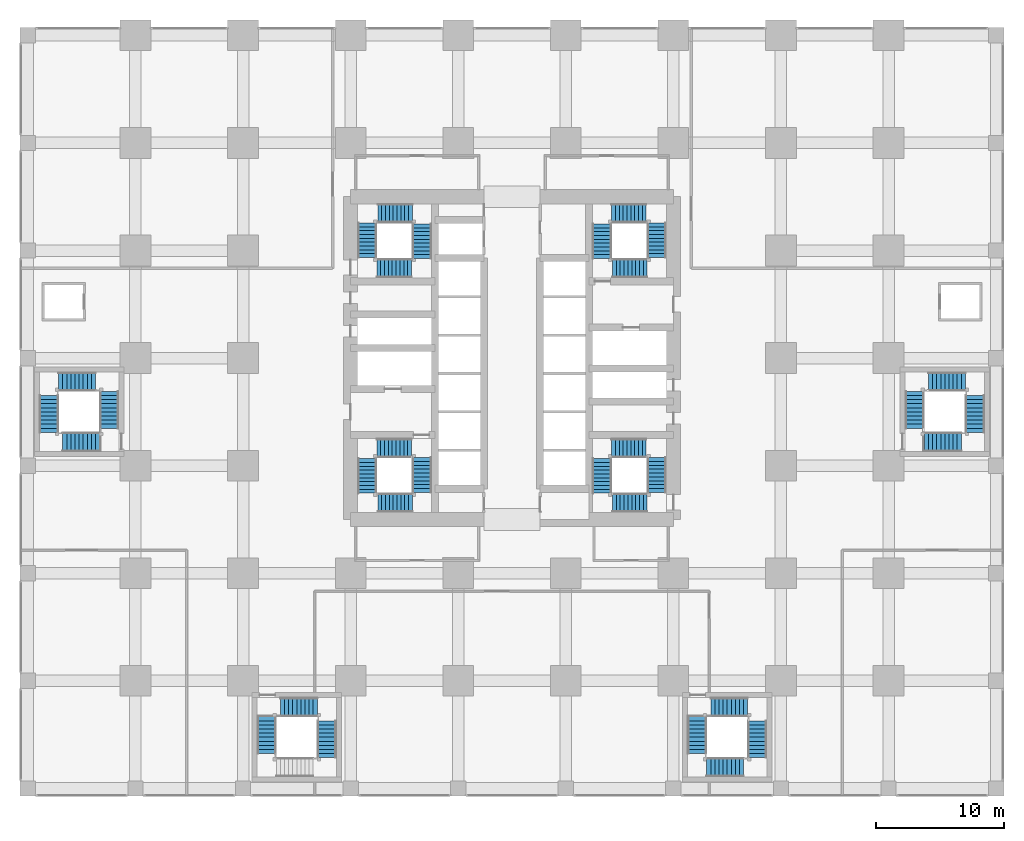
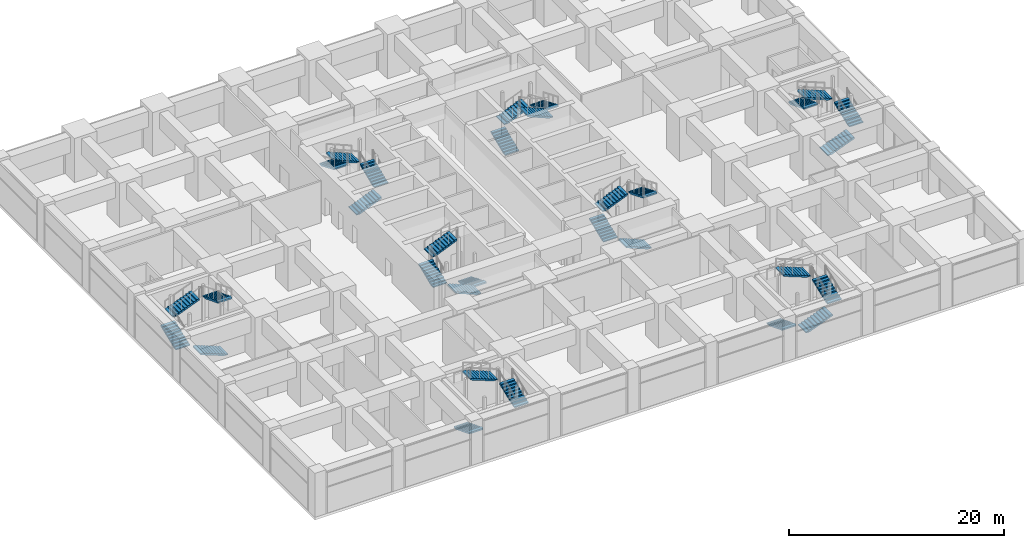
# One storey, part 39 of 48: 31 stair flights, 8 elements without a shape of their own.
"""IFC4 building model written with IfcOpenShell, lengths in metres."""

from ifc_helpers import new_model, si_unit, direction, frame, origin, place, context, subcontext, project, spatial, polyline, outline, extrude, material, type_object, element, aggregate, save


model = new_model("IFC4")

# Units and contexts
model_context = context("Model", 3, precision=1e-05, world=origin(), true_north=direction((0.0, 1.0)))
body_context = subcontext(model_context, "Body", "Model", "MODEL_VIEW")
ifc_project = project(units=[si_unit("LENGTHUNIT", "METRE"), si_unit("AREAUNIT", "SQUARE_METRE"), si_unit("VOLUMEUNIT", "CUBIC_METRE"), si_unit("PLANEANGLEUNIT", "RADIAN"), si_unit("MASSUNIT", "GRAM", prefix="KILO")], contexts=[model_context])

# Site, building, storey
site_placement = place(None, origin())
site = spatial("IfcSite", under=ifc_project, at=site_placement, CompositionType="ELEMENT")
building_placement = place(site_placement, origin())
building = spatial("IfcBuilding", under=site, at=building_placement, Name="Rekha Terrace Tower", CompositionType="ELEMENT")
storey_placement = place(building_placement, frame((0.0, 0.0, 15.39990234375)))
storey = spatial("IfcBuildingStorey", under=building, at=storey_placement, Name="L03", CompositionType="ELEMENT", Elevation=15.39990234375)

# Stair, stair flights
ifc_material = material(Name="Concrete M40", Category="concrete")
stair_type_1 = type_object("IfcStairType", Name="ST40 stair, 40 risers of 125, going 300, 1500 wide flights, 4 flights", PredefinedType="QUARTER_TURN_STAIR", material=ifc_material)
stair_1_placement = place(storey_placement, origin())
stair_1 = element("IfcStair", 1, at=stair_1_placement, inside=storey, type_object=stair_type_1, Name="Stair ST1 L03 to L04", PredefinedType="QUARTER_TURN_STAIR")
stair_flight_type_1 = type_object("IfcStairFlightType", Name="SF10 stair flight, 10 risers of 125, going 300, 1500 wide", PredefinedType="STRAIGHT", material=ifc_material)
stair_flight_1_placement = place(storey_placement, frame((30.77490234375, 25.824951171875, 0.0), z_axis=(0.0, 0.0, 1.0), x_axis=(0.0, -1.0, 0.0)))
stair_flight_1 = element("IfcStairFlight", 2, at=stair_flight_1_placement, type_object=stair_flight_type_1, Name="ST1 flight 1", NumberOfRisers=10, NumberOfTreads=9, PredefinedType="STRAIGHT", RiserHeight=0.125, TreadLength=0.3, context=body_context, shape_type="SweptSolid", body=[
    extrude(outline(polyline([(0.0, 0.0), (0.0, 0.125), (0.300048828125, 0.125), (0.300048828125, 0.25), (0.60009765625, 0.25), (0.60009765625, 0.375), (0.89990234375, 0.375), (0.89990234375, 0.5), (1.199951171875, 0.5), (1.199951171875, 0.625), (1.5, 0.625), (1.5, 0.75), (1.800048828125, 0.75), (1.800048828125, 0.875), (2.10009765625, 0.875), (2.10009765625, 1.0), (2.39990234375, 1.0), (2.39990234375, 1.125), (2.699951171875, 1.125), (2.699951171875, 1.25), (2.699951171875, 0.962646484375), (0.3896484375, 0.0), (0.0, 0.0)])), frame((0.0, 0.75, 0.0), z_axis=(0.0, -1.0, 0.0), x_axis=(1.0, 0.0, 0.0)), (0.0, 0.0, 1.0), 1.5),
])
stair_flight_2_placement = place(storey_placement, frame((30.02490234375, 22.300048828125, 1.25), z_axis=(0.0, 0.0, 1.0), x_axis=(-1.0, 0.0, 0.0)))
stair_flight_2 = element("IfcStairFlight", 3, at=stair_flight_2_placement, type_object=stair_flight_type_1, Name="ST1 flight 2", NumberOfRisers=10, NumberOfTreads=9, PredefinedType="STRAIGHT", RiserHeight=0.125, TreadLength=0.3, context=body_context, shape_type="SweptSolid", body=[
    extrude(outline(polyline([(0.0, 0.0), (0.0, 0.125), (0.300048828125, 0.125), (0.300048828125, 0.25), (0.60009765625, 0.25), (0.60009765625, 0.375), (0.89990234375, 0.375), (0.89990234375, 0.5), (1.199951171875, 0.5), (1.199951171875, 0.625), (1.5, 0.625), (1.5, 0.75), (1.800048828125, 0.75), (1.800048828125, 0.875), (2.10009765625, 0.875), (2.10009765625, 1.0), (2.39990234375, 1.0), (2.39990234375, 1.125), (2.699951171875, 1.125), (2.699951171875, 1.25), (2.699951171875, 0.962646484375), (0.3896484375, 0.0), (0.0, 0.0)])), frame((0.0, 0.75, 0.0), z_axis=(0.0, -1.0, 0.0), x_axis=(1.0, 0.0, 0.0)), (0.0, 0.0, 1.0), 1.5),
])
stair_flight_3_placement = place(storey_placement, frame((26.5, 23.050048828125, 2.5), z_axis=(0.0, 0.0, 1.0), x_axis=(0.0, 1.0, 0.0)))
stair_flight_3 = element("IfcStairFlight", 4, at=stair_flight_3_placement, type_object=stair_flight_type_1, Name="ST1 flight 3", NumberOfRisers=10, NumberOfTreads=9, PredefinedType="STRAIGHT", RiserHeight=0.125, TreadLength=0.3, context=body_context, shape_type="SweptSolid", body=[
    extrude(outline(polyline([(0.0, 0.0), (0.0, 0.125), (0.300048828125, 0.125), (0.300048828125, 0.25), (0.60009765625, 0.25), (0.60009765625, 0.375), (0.89990234375, 0.375), (0.89990234375, 0.5), (1.199951171875, 0.5), (1.199951171875, 0.625), (1.5, 0.625), (1.5, 0.75), (1.800048828125, 0.75), (1.800048828125, 0.875), (2.10009765625, 0.875), (2.10009765625, 1.0), (2.39990234375, 1.0), (2.39990234375, 1.125), (2.699951171875, 1.125), (2.699951171875, 1.25), (2.699951171875, 0.962646484375), (0.3896484375, 0.0), (0.0, 0.0)])), frame((0.0, 0.75, 0.0), z_axis=(0.0, -1.0, 0.0), x_axis=(1.0, 0.0, 0.0)), (0.0, 0.0, 1.0), 1.5),
])
stair_flight_4_placement = place(storey_placement, frame((27.25, 26.574951171875, 3.75), z_axis=(0.0, 0.0, 1.0), x_axis=(1.0, 0.0, 0.0)))
stair_flight_4 = element("IfcStairFlight", 5, at=stair_flight_4_placement, type_object=stair_flight_type_1, Name="ST1 flight 4", NumberOfRisers=10, NumberOfTreads=9, PredefinedType="STRAIGHT", RiserHeight=0.125, TreadLength=0.3, context=body_context, shape_type="SweptSolid", body=[
    extrude(outline(polyline([(0.0, 0.0), (0.0, 0.125), (0.300048828125, 0.125), (0.300048828125, 0.25), (0.60009765625, 0.25), (0.60009765625, 0.375), (0.89990234375, 0.375), (0.89990234375, 0.5), (1.199951171875, 0.5), (1.199951171875, 0.625), (1.5, 0.625), (1.5, 0.75), (1.800048828125, 0.75), (1.800048828125, 0.875), (2.10009765625, 0.875), (2.10009765625, 1.0), (2.39990234375, 1.0), (2.39990234375, 1.125), (2.699951171875, 1.125), (2.699951171875, 1.25), (2.699951171875, 0.962646484375), (0.3896484375, 0.0), (0.0, 0.0)])), frame((0.0, 0.75, 0.0), z_axis=(0.0, -1.0, 0.0), x_axis=(1.0, 0.0, 0.0)), (0.0, 0.0, 1.0), 1.5),
])
aggregate(stair_1, [stair_flight_1, stair_flight_2, stair_flight_3, stair_flight_4])

stair_2_placement = place(storey_placement, origin())
stair_2 = element("IfcStair", 6, at=stair_2_placement, inside=storey, type_object=stair_type_1, Name="Stair ST2 L03 to L04", PredefinedType="QUARTER_TURN_STAIR")
stair_flight_5_placement = place(storey_placement, frame((44.824951171875, 41.375, 0.0), z_axis=(0.0, 0.0, 1.0), x_axis=(0.0, 1.0, 0.0)))
stair_flight_5 = element("IfcStairFlight", 7, at=stair_flight_5_placement, type_object=stair_flight_type_1, Name="ST2 flight 1", NumberOfRisers=10, NumberOfTreads=9, PredefinedType="STRAIGHT", RiserHeight=0.125, TreadLength=0.3, context=body_context, shape_type="SweptSolid", body=[
    extrude(outline(polyline([(0.0, 0.0), (0.0, 0.125), (0.300048828125, 0.125), (0.300048828125, 0.25), (0.60009765625, 0.25), (0.60009765625, 0.375), (0.89990234375, 0.375), (0.89990234375, 0.5), (1.199951171875, 0.5), (1.199951171875, 0.625), (1.5, 0.625), (1.5, 0.75), (1.800048828125, 0.75), (1.800048828125, 0.875), (2.10009765625, 0.875), (2.10009765625, 1.0), (2.39990234375, 1.0), (2.39990234375, 1.125), (2.699951171875, 1.125), (2.699951171875, 1.25), (2.699951171875, 0.962646484375), (0.3896484375, 0.0), (0.0, 0.0)])), frame((0.0, 0.75, 0.0), z_axis=(0.0, -1.0, 0.0), x_axis=(1.0, 0.0, 0.0)), (0.0, 0.0, 1.0), 1.5),
])
stair_flight_6_placement = place(storey_placement, frame((45.574951171875, 44.89990234375, 1.25), z_axis=(0.0, 0.0, 1.0), x_axis=(1.0, 0.0, 0.0)))
stair_flight_6 = element("IfcStairFlight", 8, at=stair_flight_6_placement, type_object=stair_flight_type_1, Name="ST2 flight 2", NumberOfRisers=10, NumberOfTreads=9, PredefinedType="STRAIGHT", RiserHeight=0.125, TreadLength=0.3, context=body_context, shape_type="SweptSolid", body=[
    extrude(outline(polyline([(0.0, 0.0), (0.0, 0.125), (0.300048828125, 0.125), (0.300048828125, 0.25), (0.60009765625, 0.25), (0.60009765625, 0.375), (0.89990234375, 0.375), (0.89990234375, 0.5), (1.199951171875, 0.5), (1.199951171875, 0.625), (1.5, 0.625), (1.5, 0.75), (1.800048828125, 0.75), (1.800048828125, 0.875), (2.10009765625, 0.875), (2.10009765625, 1.0), (2.39990234375, 1.0), (2.39990234375, 1.125), (2.699951171875, 1.125), (2.699951171875, 1.25), (2.699951171875, 0.962646484375), (0.3896484375, 0.0), (0.0, 0.0)])), frame((0.0, 0.75, 0.0), z_axis=(0.0, -1.0, 0.0), x_axis=(1.0, 0.0, 0.0)), (0.0, 0.0, 1.0), 1.5),
])
stair_flight_7_placement = place(storey_placement, frame((49.10009765625, 44.14990234375, 2.5), z_axis=(0.0, 0.0, 1.0), x_axis=(0.0, -1.0, 0.0)))
stair_flight_7 = element("IfcStairFlight", 9, at=stair_flight_7_placement, type_object=stair_flight_type_1, Name="ST2 flight 3", NumberOfRisers=10, NumberOfTreads=9, PredefinedType="STRAIGHT", RiserHeight=0.125, TreadLength=0.3, context=body_context, shape_type="SweptSolid", body=[
    extrude(outline(polyline([(0.0, 0.0), (0.0, 0.125), (0.300048828125, 0.125), (0.300048828125, 0.25), (0.60009765625, 0.25), (0.60009765625, 0.375), (0.89990234375, 0.375), (0.89990234375, 0.5), (1.199951171875, 0.5), (1.199951171875, 0.625), (1.5, 0.625), (1.5, 0.75), (1.800048828125, 0.75), (1.800048828125, 0.875), (2.10009765625, 0.875), (2.10009765625, 1.0), (2.39990234375, 1.0), (2.39990234375, 1.125), (2.699951171875, 1.125), (2.699951171875, 1.25), (2.699951171875, 0.962646484375), (0.3896484375, 0.0), (0.0, 0.0)])), frame((0.0, 0.75, 0.0), z_axis=(0.0, -1.0, 0.0), x_axis=(1.0, 0.0, 0.0)), (0.0, 0.0, 1.0), 1.5),
])
stair_flight_8_placement = place(storey_placement, frame((48.35009765625, 40.625, 3.75), z_axis=(0.0, 0.0, 1.0), x_axis=(-1.0, 0.0, 0.0)))
stair_flight_8 = element("IfcStairFlight", 10, at=stair_flight_8_placement, type_object=stair_flight_type_1, Name="ST2 flight 4", NumberOfRisers=10, NumberOfTreads=9, PredefinedType="STRAIGHT", RiserHeight=0.125, TreadLength=0.3, context=body_context, shape_type="SweptSolid", body=[
    extrude(outline(polyline([(0.0, 0.0), (0.0, 0.125), (0.300048828125, 0.125), (0.300048828125, 0.25), (0.60009765625, 0.25), (0.60009765625, 0.375), (0.89990234375, 0.375), (0.89990234375, 0.5), (1.199951171875, 0.5), (1.199951171875, 0.625), (1.5, 0.625), (1.5, 0.75), (1.800048828125, 0.75), (1.800048828125, 0.875), (2.10009765625, 0.875), (2.10009765625, 1.0), (2.39990234375, 1.0), (2.39990234375, 1.125), (2.699951171875, 1.125), (2.699951171875, 1.25), (2.699951171875, 0.962646484375), (0.3896484375, 0.0), (0.0, 0.0)])), frame((0.0, 0.75, 0.0), z_axis=(0.0, -1.0, 0.0), x_axis=(1.0, 0.0, 0.0)), (0.0, 0.0, 1.0), 1.5),
])
aggregate(stair_2, [stair_flight_5, stair_flight_6, stair_flight_7, stair_flight_8])

stair_3_placement = place(storey_placement, origin())
stair_3 = element("IfcStair", 11, at=stair_3_placement, inside=storey, type_object=stair_type_1, Name="Stair ST3 L03 to L04", PredefinedType="QUARTER_TURN_STAIR")
stair_flight_9_placement = place(storey_placement, frame((48.35009765625, 22.300048828125, 0.0), z_axis=(0.0, 0.0, 1.0), x_axis=(-1.0, 0.0, 0.0)))
stair_flight_9 = element("IfcStairFlight", 12, at=stair_flight_9_placement, type_object=stair_flight_type_1, Name="ST3 flight 1", NumberOfRisers=10, NumberOfTreads=9, PredefinedType="STRAIGHT", RiserHeight=0.125, TreadLength=0.3, context=body_context, shape_type="SweptSolid", body=[
    extrude(outline(polyline([(0.0, 0.0), (0.0, 0.125), (0.300048828125, 0.125), (0.300048828125, 0.25), (0.60009765625, 0.25), (0.60009765625, 0.375), (0.89990234375, 0.375), (0.89990234375, 0.5), (1.199951171875, 0.5), (1.199951171875, 0.625), (1.5, 0.625), (1.5, 0.75), (1.800048828125, 0.75), (1.800048828125, 0.875), (2.10009765625, 0.875), (2.10009765625, 1.0), (2.39990234375, 1.0), (2.39990234375, 1.125), (2.699951171875, 1.125), (2.699951171875, 1.25), (2.699951171875, 0.962646484375), (0.3896484375, 0.0), (0.0, 0.0)])), frame((0.0, 0.75, 0.0), z_axis=(0.0, -1.0, 0.0), x_axis=(1.0, 0.0, 0.0)), (0.0, 0.0, 1.0), 1.5),
])
stair_flight_10_placement = place(storey_placement, frame((44.824951171875, 23.050048828125, 1.25), z_axis=(0.0, 0.0, 1.0), x_axis=(0.0, 1.0, 0.0)))
stair_flight_10 = element("IfcStairFlight", 13, at=stair_flight_10_placement, type_object=stair_flight_type_1, Name="ST3 flight 2", NumberOfRisers=10, NumberOfTreads=9, PredefinedType="STRAIGHT", RiserHeight=0.125, TreadLength=0.3, context=body_context, shape_type="SweptSolid", body=[
    extrude(outline(polyline([(0.0, 0.0), (0.0, 0.125), (0.300048828125, 0.125), (0.300048828125, 0.25), (0.60009765625, 0.25), (0.60009765625, 0.375), (0.89990234375, 0.375), (0.89990234375, 0.5), (1.199951171875, 0.5), (1.199951171875, 0.625), (1.5, 0.625), (1.5, 0.75), (1.800048828125, 0.75), (1.800048828125, 0.875), (2.10009765625, 0.875), (2.10009765625, 1.0), (2.39990234375, 1.0), (2.39990234375, 1.125), (2.699951171875, 1.125), (2.699951171875, 1.25), (2.699951171875, 0.962646484375), (0.3896484375, 0.0), (0.0, 0.0)])), frame((0.0, 0.75, 0.0), z_axis=(0.0, -1.0, 0.0), x_axis=(1.0, 0.0, 0.0)), (0.0, 0.0, 1.0), 1.5),
])
stair_flight_11_placement = place(storey_placement, frame((45.574951171875, 26.574951171875, 2.5), z_axis=(0.0, 0.0, 1.0), x_axis=(1.0, 0.0, 0.0)))
stair_flight_11 = element("IfcStairFlight", 14, at=stair_flight_11_placement, type_object=stair_flight_type_1, Name="ST3 flight 3", NumberOfRisers=10, NumberOfTreads=9, PredefinedType="STRAIGHT", RiserHeight=0.125, TreadLength=0.3, context=body_context, shape_type="SweptSolid", body=[
    extrude(outline(polyline([(0.0, 0.0), (0.0, 0.125), (0.300048828125, 0.125), (0.300048828125, 0.25), (0.60009765625, 0.25), (0.60009765625, 0.375), (0.89990234375, 0.375), (0.89990234375, 0.5), (1.199951171875, 0.5), (1.199951171875, 0.625), (1.5, 0.625), (1.5, 0.75), (1.800048828125, 0.75), (1.800048828125, 0.875), (2.10009765625, 0.875), (2.10009765625, 1.0), (2.39990234375, 1.0), (2.39990234375, 1.125), (2.699951171875, 1.125), (2.699951171875, 1.25), (2.699951171875, 0.962646484375), (0.3896484375, 0.0), (0.0, 0.0)])), frame((0.0, 0.75, 0.0), z_axis=(0.0, -1.0, 0.0), x_axis=(1.0, 0.0, 0.0)), (0.0, 0.0, 1.0), 1.5),
])
stair_flight_12_placement = place(storey_placement, frame((49.10009765625, 25.824951171875, 3.75), z_axis=(0.0, 0.0, 1.0), x_axis=(0.0, -1.0, 0.0)))
stair_flight_12 = element("IfcStairFlight", 15, at=stair_flight_12_placement, type_object=stair_flight_type_1, Name="ST3 flight 4", NumberOfRisers=10, NumberOfTreads=9, PredefinedType="STRAIGHT", RiserHeight=0.125, TreadLength=0.3, context=body_context, shape_type="SweptSolid", body=[
    extrude(outline(polyline([(0.0, 0.0), (0.0, 0.125), (0.300048828125, 0.125), (0.300048828125, 0.25), (0.60009765625, 0.25), (0.60009765625, 0.375), (0.89990234375, 0.375), (0.89990234375, 0.5), (1.199951171875, 0.5), (1.199951171875, 0.625), (1.5, 0.625), (1.5, 0.75), (1.800048828125, 0.75), (1.800048828125, 0.875), (2.10009765625, 0.875), (2.10009765625, 1.0), (2.39990234375, 1.0), (2.39990234375, 1.125), (2.699951171875, 1.125), (2.699951171875, 1.25), (2.699951171875, 0.962646484375), (0.3896484375, 0.0), (0.0, 0.0)])), frame((0.0, 0.75, 0.0), z_axis=(0.0, -1.0, 0.0), x_axis=(1.0, 0.0, 0.0)), (0.0, 0.0, 1.0), 1.5),
])
aggregate(stair_3, [stair_flight_9, stair_flight_10, stair_flight_11, stair_flight_12])

stair_4_placement = place(storey_placement, origin())
stair_4 = element("IfcStair", 16, at=stair_4_placement, inside=storey, type_object=stair_type_1, Name="Stair ST4 L03 to L04", PredefinedType="QUARTER_TURN_STAIR")
stair_flight_13_placement = place(storey_placement, frame((27.25, 40.625, 0.0), z_axis=(0.0, 0.0, 1.0), x_axis=(1.0, 0.0, 0.0)))
stair_flight_13 = element("IfcStairFlight", 17, at=stair_flight_13_placement, type_object=stair_flight_type_1, Name="ST4 flight 1", NumberOfRisers=10, NumberOfTreads=9, PredefinedType="STRAIGHT", RiserHeight=0.125, TreadLength=0.3, context=body_context, shape_type="SweptSolid", body=[
    extrude(outline(polyline([(0.0, 0.0), (0.0, 0.125), (0.300048828125, 0.125), (0.300048828125, 0.25), (0.60009765625, 0.25), (0.60009765625, 0.375), (0.89990234375, 0.375), (0.89990234375, 0.5), (1.199951171875, 0.5), (1.199951171875, 0.625), (1.5, 0.625), (1.5, 0.75), (1.800048828125, 0.75), (1.800048828125, 0.875), (2.10009765625, 0.875), (2.10009765625, 1.0), (2.39990234375, 1.0), (2.39990234375, 1.125), (2.699951171875, 1.125), (2.699951171875, 1.25), (2.699951171875, 0.962646484375), (0.3896484375, 0.0), (0.0, 0.0)])), frame((0.0, 0.75, 0.0), z_axis=(0.0, -1.0, 0.0), x_axis=(1.0, 0.0, 0.0)), (0.0, 0.0, 1.0), 1.5),
])
stair_flight_14_placement = place(storey_placement, frame((30.77490234375, 41.375, 1.25), z_axis=(0.0, 0.0, 1.0), x_axis=(0.0, 1.0, 0.0)))
stair_flight_14 = element("IfcStairFlight", 18, at=stair_flight_14_placement, type_object=stair_flight_type_1, Name="ST4 flight 2", NumberOfRisers=10, NumberOfTreads=9, PredefinedType="STRAIGHT", RiserHeight=0.125, TreadLength=0.3, context=body_context, shape_type="SweptSolid", body=[
    extrude(outline(polyline([(0.0, 0.0), (0.0, 0.125), (0.300048828125, 0.125), (0.300048828125, 0.25), (0.60009765625, 0.25), (0.60009765625, 0.375), (0.89990234375, 0.375), (0.89990234375, 0.5), (1.199951171875, 0.5), (1.199951171875, 0.625), (1.5, 0.625), (1.5, 0.75), (1.800048828125, 0.75), (1.800048828125, 0.875), (2.10009765625, 0.875), (2.10009765625, 1.0), (2.39990234375, 1.0), (2.39990234375, 1.125), (2.699951171875, 1.125), (2.699951171875, 1.25), (2.699951171875, 0.962646484375), (0.3896484375, 0.0), (0.0, 0.0)])), frame((0.0, 0.75, 0.0), z_axis=(0.0, -1.0, 0.0), x_axis=(1.0, 0.0, 0.0)), (0.0, 0.0, 1.0), 1.5),
])
stair_flight_15_placement = place(storey_placement, frame((30.02490234375, 44.89990234375, 2.5), z_axis=(0.0, 0.0, 1.0), x_axis=(-1.0, 0.0, 0.0)))
stair_flight_15 = element("IfcStairFlight", 19, at=stair_flight_15_placement, type_object=stair_flight_type_1, Name="ST4 flight 3", NumberOfRisers=10, NumberOfTreads=9, PredefinedType="STRAIGHT", RiserHeight=0.125, TreadLength=0.3, context=body_context, shape_type="SweptSolid", body=[
    extrude(outline(polyline([(0.0, 0.0), (0.0, 0.125), (0.300048828125, 0.125), (0.300048828125, 0.25), (0.60009765625, 0.25), (0.60009765625, 0.375), (0.89990234375, 0.375), (0.89990234375, 0.5), (1.199951171875, 0.5), (1.199951171875, 0.625), (1.5, 0.625), (1.5, 0.75), (1.800048828125, 0.75), (1.800048828125, 0.875), (2.10009765625, 0.875), (2.10009765625, 1.0), (2.39990234375, 1.0), (2.39990234375, 1.125), (2.699951171875, 1.125), (2.699951171875, 1.25), (2.699951171875, 0.962646484375), (0.3896484375, 0.0), (0.0, 0.0)])), frame((0.0, 0.75, 0.0), z_axis=(0.0, -1.0, 0.0), x_axis=(1.0, 0.0, 0.0)), (0.0, 0.0, 1.0), 1.5),
])
stair_flight_16_placement = place(storey_placement, frame((26.5, 44.14990234375, 3.75), z_axis=(0.0, 0.0, 1.0), x_axis=(0.0, -1.0, 0.0)))
stair_flight_16 = element("IfcStairFlight", 20, at=stair_flight_16_placement, type_object=stair_flight_type_1, Name="ST4 flight 4", NumberOfRisers=10, NumberOfTreads=9, PredefinedType="STRAIGHT", RiserHeight=0.125, TreadLength=0.3, context=body_context, shape_type="SweptSolid", body=[
    extrude(outline(polyline([(0.0, 0.0), (0.0, 0.125), (0.300048828125, 0.125), (0.300048828125, 0.25), (0.60009765625, 0.25), (0.60009765625, 0.375), (0.89990234375, 0.375), (0.89990234375, 0.5), (1.199951171875, 0.5), (1.199951171875, 0.625), (1.5, 0.625), (1.5, 0.75), (1.800048828125, 0.75), (1.800048828125, 0.875), (2.10009765625, 0.875), (2.10009765625, 1.0), (2.39990234375, 1.0), (2.39990234375, 1.125), (2.699951171875, 1.125), (2.699951171875, 1.25), (2.699951171875, 0.962646484375), (0.3896484375, 0.0), (0.0, 0.0)])), frame((0.0, 0.75, 0.0), z_axis=(0.0, -1.0, 0.0), x_axis=(1.0, 0.0, 0.0)), (0.0, 0.0, 1.0), 1.5),
])
aggregate(stair_4, [stair_flight_13, stair_flight_14, stair_flight_15, stair_flight_16])

stair_type_2 = type_object("IfcStairType", Name="ST40 stair, 40 risers of 125, going 320, 1500 wide flights, 4 flights", PredefinedType="QUARTER_TURN_STAIR", material=ifc_material)
stair_5_placement = place(storey_placement, origin())
stair_5 = element("IfcStair", 21, at=stair_5_placement, inside=storey, type_object=stair_type_2, Name="Stair SP1 L03 to L04", PredefinedType="QUARTER_TURN_STAIR")
stair_flight_type_2 = type_object("IfcStairFlightType", Name="SF10 stair flight, 10 risers of 125, going 320, 1500 wide", PredefinedType="STRAIGHT", material=ifc_material)
stair_flight_17_placement = place(storey_placement, frame((5.60009765625, 27.050048828125, 0.0), z_axis=(0.0, 0.0, 1.0), x_axis=(-1.0, 0.0, 0.0)))
stair_flight_17 = element("IfcStairFlight", 22, at=stair_flight_17_placement, type_object=stair_flight_type_2, Name="SP1 flight 1", NumberOfRisers=10, NumberOfTreads=9, PredefinedType="STRAIGHT", RiserHeight=0.125, TreadLength=0.32, context=body_context, shape_type="SweptSolid", body=[
    extrude(outline(polyline([(0.0, 0.0), (0.0, 0.125), (0.320068359375, 0.125), (0.320068359375, 0.25), (0.639892578125, 0.25), (0.639892578125, 0.375), (0.9599609375, 0.375), (0.9599609375, 0.5), (1.280029296875, 0.5), (1.280029296875, 0.625), (1.60009765625, 0.625), (1.60009765625, 0.75), (1.919921875, 0.75), (1.919921875, 0.875), (2.239990234375, 0.875), (2.239990234375, 1.0), (2.56005859375, 1.0), (2.56005859375, 1.125), (2.8798828125, 1.125), (2.8798828125, 1.25), (2.8798828125, 0.964111328125), (0.412109375, 0.0), (0.0, 0.0)])), frame((0.0, 0.75, 0.0), z_axis=(0.0, -1.0, 0.0), x_axis=(1.0, 0.0, 0.0)), (0.0, 0.0, 1.0), 1.5),
])
stair_flight_18_placement = place(storey_placement, frame((1.64990234375, 27.800048828125, 1.25), z_axis=(0.0, 0.0, 1.0), x_axis=(0.0, 1.0, 0.0)))
stair_flight_18 = element("IfcStairFlight", 23, at=stair_flight_18_placement, type_object=stair_flight_type_2, Name="SP1 flight 2", NumberOfRisers=10, NumberOfTreads=9, PredefinedType="STRAIGHT", RiserHeight=0.125, TreadLength=0.32, context=body_context, shape_type="SweptSolid", body=[
    extrude(outline(polyline([(0.0, 0.0), (0.0, 0.125), (0.320068359375, 0.125), (0.320068359375, 0.25), (0.639892578125, 0.25), (0.639892578125, 0.375), (0.9599609375, 0.375), (0.9599609375, 0.5), (1.280029296875, 0.5), (1.280029296875, 0.625), (1.60009765625, 0.625), (1.60009765625, 0.75), (1.919921875, 0.75), (1.919921875, 0.875), (2.239990234375, 0.875), (2.239990234375, 1.0), (2.56005859375, 1.0), (2.56005859375, 1.125), (2.8798828125, 1.125), (2.8798828125, 1.25), (2.8798828125, 0.964111328125), (0.412109375, 0.0), (0.0, 0.0)])), frame((0.0, 0.75, 0.0), z_axis=(0.0, -1.0, 0.0), x_axis=(1.0, 0.0, 0.0)), (0.0, 0.0, 1.0), 1.5),
])
stair_flight_19_placement = place(storey_placement, frame((2.39990234375, 31.75, 2.5), z_axis=(0.0, 0.0, 1.0), x_axis=(1.0, 0.0, 0.0)))
stair_flight_19 = element("IfcStairFlight", 24, at=stair_flight_19_placement, type_object=stair_flight_type_2, Name="SP1 flight 3", NumberOfRisers=10, NumberOfTreads=9, PredefinedType="STRAIGHT", RiserHeight=0.125, TreadLength=0.32, context=body_context, shape_type="SweptSolid", body=[
    extrude(outline(polyline([(0.0, 0.0), (0.0, 0.125), (0.320068359375, 0.125), (0.320068359375, 0.25), (0.639892578125, 0.25), (0.639892578125, 0.375), (0.9599609375, 0.375), (0.9599609375, 0.5), (1.280029296875, 0.5), (1.280029296875, 0.625), (1.60009765625, 0.625), (1.60009765625, 0.75), (1.919921875, 0.75), (1.919921875, 0.875), (2.239990234375, 0.875), (2.239990234375, 1.0), (2.56005859375, 1.0), (2.56005859375, 1.125), (2.8798828125, 1.125), (2.8798828125, 1.25), (2.8798828125, 0.964111328125), (0.412109375, 0.0), (0.0, 0.0)])), frame((0.0, 0.75, 0.0), z_axis=(0.0, -1.0, 0.0), x_axis=(1.0, 0.0, 0.0)), (0.0, 0.0, 1.0), 1.5),
])
stair_flight_20_placement = place(storey_placement, frame((6.35009765625, 31.0, 3.75), z_axis=(0.0, 0.0, 1.0), x_axis=(0.0, -1.0, 0.0)))
stair_flight_20 = element("IfcStairFlight", 25, at=stair_flight_20_placement, type_object=stair_flight_type_2, Name="SP1 flight 4", NumberOfRisers=10, NumberOfTreads=9, PredefinedType="STRAIGHT", RiserHeight=0.125, TreadLength=0.32, context=body_context, shape_type="SweptSolid", body=[
    extrude(outline(polyline([(0.0, 0.0), (0.0, 0.125), (0.320068359375, 0.125), (0.320068359375, 0.25), (0.639892578125, 0.25), (0.639892578125, 0.375), (0.9599609375, 0.375), (0.9599609375, 0.5), (1.280029296875, 0.5), (1.280029296875, 0.625), (1.60009765625, 0.625), (1.60009765625, 0.75), (1.919921875, 0.75), (1.919921875, 0.875), (2.239990234375, 0.875), (2.239990234375, 1.0), (2.56005859375, 1.0), (2.56005859375, 1.125), (2.8798828125, 1.125), (2.8798828125, 1.25), (2.8798828125, 0.964111328125), (0.412109375, 0.0), (0.0, 0.0)])), frame((0.0, 0.75, 0.0), z_axis=(0.0, -1.0, 0.0), x_axis=(1.0, 0.0, 0.0)), (0.0, 0.0, 1.0), 1.5),
])
aggregate(stair_5, [stair_flight_17, stair_flight_18, stair_flight_19, stair_flight_20])

stair_6_placement = place(storey_placement, origin())
stair_6 = element("IfcStair", 26, at=stair_6_placement, inside=storey, type_object=stair_type_2, Name="Stair SP2 L03 to L04", PredefinedType="QUARTER_TURN_STAIR")
stair_flight_21_placement = place(storey_placement, frame((70.0, 27.050048828125, 0.0), z_axis=(0.0, 0.0, 1.0), x_axis=(1.0, 0.0, 0.0)))
stair_flight_21 = element("IfcStairFlight", 27, at=stair_flight_21_placement, type_object=stair_flight_type_2, Name="SP2 flight 1", NumberOfRisers=10, NumberOfTreads=9, PredefinedType="STRAIGHT", RiserHeight=0.125, TreadLength=0.32, context=body_context, shape_type="SweptSolid", body=[
    extrude(outline(polyline([(0.0, 0.0), (0.0, 0.125), (0.320068359375, 0.125), (0.320068359375, 0.25), (0.639892578125, 0.25), (0.639892578125, 0.375), (0.9599609375, 0.375), (0.9599609375, 0.5), (1.280029296875, 0.5), (1.280029296875, 0.625), (1.60009765625, 0.625), (1.60009765625, 0.75), (1.919921875, 0.75), (1.919921875, 0.875), (2.239990234375, 0.875), (2.239990234375, 1.0), (2.56005859375, 1.0), (2.56005859375, 1.125), (2.8798828125, 1.125), (2.8798828125, 1.25), (2.8798828125, 0.964111328125), (0.412109375, 0.0), (0.0, 0.0)])), frame((0.0, 0.75, 0.0), z_axis=(0.0, -1.0, 0.0), x_axis=(1.0, 0.0, 0.0)), (0.0, 0.0, 1.0), 1.5),
])
stair_flight_22_placement = place(storey_placement, frame((73.949951171875, 27.800048828125, 1.25), z_axis=(0.0, 0.0, 1.0), x_axis=(0.0, 1.0, 0.0)))
stair_flight_22 = element("IfcStairFlight", 28, at=stair_flight_22_placement, type_object=stair_flight_type_2, Name="SP2 flight 2", NumberOfRisers=10, NumberOfTreads=9, PredefinedType="STRAIGHT", RiserHeight=0.125, TreadLength=0.32, context=body_context, shape_type="SweptSolid", body=[
    extrude(outline(polyline([(0.0, 0.0), (0.0, 0.125), (0.320068359375, 0.125), (0.320068359375, 0.25), (0.639892578125, 0.25), (0.639892578125, 0.375), (0.9599609375, 0.375), (0.9599609375, 0.5), (1.280029296875, 0.5), (1.280029296875, 0.625), (1.60009765625, 0.625), (1.60009765625, 0.75), (1.919921875, 0.75), (1.919921875, 0.875), (2.239990234375, 0.875), (2.239990234375, 1.0), (2.56005859375, 1.0), (2.56005859375, 1.125), (2.8798828125, 1.125), (2.8798828125, 1.25), (2.8798828125, 0.964111328125), (0.412109375, 0.0), (0.0, 0.0)])), frame((0.0, 0.75, 0.0), z_axis=(0.0, -1.0, 0.0), x_axis=(1.0, 0.0, 0.0)), (0.0, 0.0, 1.0), 1.5),
])
stair_flight_23_placement = place(storey_placement, frame((73.199951171875, 31.75, 2.5), z_axis=(0.0, 0.0, 1.0), x_axis=(-1.0, 0.0, 0.0)))
stair_flight_23 = element("IfcStairFlight", 29, at=stair_flight_23_placement, type_object=stair_flight_type_2, Name="SP2 flight 3", NumberOfRisers=10, NumberOfTreads=9, PredefinedType="STRAIGHT", RiserHeight=0.125, TreadLength=0.32, context=body_context, shape_type="SweptSolid", body=[
    extrude(outline(polyline([(0.0, 0.0), (0.0, 0.125), (0.320068359375, 0.125), (0.320068359375, 0.25), (0.639892578125, 0.25), (0.639892578125, 0.375), (0.9599609375, 0.375), (0.9599609375, 0.5), (1.280029296875, 0.5), (1.280029296875, 0.625), (1.60009765625, 0.625), (1.60009765625, 0.75), (1.919921875, 0.75), (1.919921875, 0.875), (2.239990234375, 0.875), (2.239990234375, 1.0), (2.56005859375, 1.0), (2.56005859375, 1.125), (2.8798828125, 1.125), (2.8798828125, 1.25), (2.8798828125, 0.964111328125), (0.412109375, 0.0), (0.0, 0.0)])), frame((0.0, 0.75, 0.0), z_axis=(0.0, -1.0, 0.0), x_axis=(1.0, 0.0, 0.0)), (0.0, 0.0, 1.0), 1.5),
])
stair_flight_24_placement = place(storey_placement, frame((69.25, 31.0, 3.75), z_axis=(0.0, 0.0, 1.0), x_axis=(0.0, -1.0, 0.0)))
stair_flight_24 = element("IfcStairFlight", 30, at=stair_flight_24_placement, type_object=stair_flight_type_2, Name="SP2 flight 4", NumberOfRisers=10, NumberOfTreads=9, PredefinedType="STRAIGHT", RiserHeight=0.125, TreadLength=0.32, context=body_context, shape_type="SweptSolid", body=[
    extrude(outline(polyline([(0.0, 0.0), (0.0, 0.125), (0.320068359375, 0.125), (0.320068359375, 0.25), (0.639892578125, 0.25), (0.639892578125, 0.375), (0.9599609375, 0.375), (0.9599609375, 0.5), (1.280029296875, 0.5), (1.280029296875, 0.625), (1.60009765625, 0.625), (1.60009765625, 0.75), (1.919921875, 0.75), (1.919921875, 0.875), (2.239990234375, 0.875), (2.239990234375, 1.0), (2.56005859375, 1.0), (2.56005859375, 1.125), (2.8798828125, 1.125), (2.8798828125, 1.25), (2.8798828125, 0.964111328125), (0.412109375, 0.0), (0.0, 0.0)])), frame((0.0, 0.75, 0.0), z_axis=(0.0, -1.0, 0.0), x_axis=(1.0, 0.0, 0.0)), (0.0, 0.0, 1.0), 1.5),
])
aggregate(stair_6, [stair_flight_21, stair_flight_22, stair_flight_23, stair_flight_24])

stair_7_placement = place(storey_placement, origin())
stair_7 = element("IfcStair", 31, at=stair_7_placement, inside=storey, type_object=stair_type_2, Name="Stair SP3 L03 to L04", PredefinedType="QUARTER_TURN_STAIR")
stair_flight_25_placement = place(storey_placement, frame((18.64990234375, 5.60009765625, 0.0), z_axis=(0.0, 0.0, 1.0), x_axis=(0.0, -1.0, 0.0)))
stair_flight_25 = element("IfcStairFlight", 32, at=stair_flight_25_placement, type_object=stair_flight_type_2, Name="SP3 flight 1", NumberOfRisers=10, NumberOfTreads=9, PredefinedType="STRAIGHT", RiserHeight=0.125, TreadLength=0.32, context=body_context, shape_type="SweptSolid", body=[
    extrude(outline(polyline([(0.0, 0.0), (0.0, 0.125), (0.320068359375, 0.125), (0.320068359375, 0.25), (0.639892578125, 0.25), (0.639892578125, 0.375), (0.9599609375, 0.375), (0.9599609375, 0.5), (1.280029296875, 0.5), (1.280029296875, 0.625), (1.60009765625, 0.625), (1.60009765625, 0.75), (1.919921875, 0.75), (1.919921875, 0.875), (2.239990234375, 0.875), (2.239990234375, 1.0), (2.56005859375, 1.0), (2.56005859375, 1.125), (2.8798828125, 1.125), (2.8798828125, 1.25), (2.8798828125, 0.964111328125), (0.412109375, 0.0), (0.0, 0.0)])), frame((0.0, 0.75, 0.0), z_axis=(0.0, -1.0, 0.0), x_axis=(1.0, 0.0, 0.0)), (0.0, 0.0, 1.0), 1.5),
])
stair_flight_26_placement = place(storey_placement, frame((23.35009765625, 2.39990234375, 2.5), z_axis=(0.0, 0.0, 1.0), x_axis=(0.0, 1.0, 0.0)))
stair_flight_26 = element("IfcStairFlight", 33, at=stair_flight_26_placement, type_object=stair_flight_type_2, Name="SP3 flight 3", NumberOfRisers=10, NumberOfTreads=9, PredefinedType="STRAIGHT", RiserHeight=0.125, TreadLength=0.32, context=body_context, shape_type="SweptSolid", body=[
    extrude(outline(polyline([(0.0, 0.0), (0.0, 0.125), (0.320068359375, 0.125), (0.320068359375, 0.25), (0.639892578125, 0.25), (0.639892578125, 0.375), (0.9599609375, 0.375), (0.9599609375, 0.5), (1.280029296875, 0.5), (1.280029296875, 0.625), (1.60009765625, 0.625), (1.60009765625, 0.75), (1.919921875, 0.75), (1.919921875, 0.875), (2.239990234375, 0.875), (2.239990234375, 1.0), (2.56005859375, 1.0), (2.56005859375, 1.125), (2.8798828125, 1.125), (2.8798828125, 1.25), (2.8798828125, 0.964111328125), (0.412109375, 0.0), (0.0, 0.0)])), frame((0.0, 0.75, 0.0), z_axis=(0.0, -1.0, 0.0), x_axis=(1.0, 0.0, 0.0)), (0.0, 0.0, 1.0), 1.5),
])
stair_flight_27_placement = place(storey_placement, frame((22.60009765625, 6.35009765625, 3.75), z_axis=(0.0, 0.0, 1.0), x_axis=(-1.0, 0.0, 0.0)))
stair_flight_27 = element("IfcStairFlight", 34, at=stair_flight_27_placement, type_object=stair_flight_type_2, Name="SP3 flight 4", NumberOfRisers=10, NumberOfTreads=9, PredefinedType="STRAIGHT", RiserHeight=0.125, TreadLength=0.32, context=body_context, shape_type="SweptSolid", body=[
    extrude(outline(polyline([(0.0, 0.0), (0.0, 0.125), (0.320068359375, 0.125), (0.320068359375, 0.25), (0.639892578125, 0.25), (0.639892578125, 0.375), (0.9599609375, 0.375), (0.9599609375, 0.5), (1.280029296875, 0.5), (1.280029296875, 0.625), (1.60009765625, 0.625), (1.60009765625, 0.75), (1.919921875, 0.75), (1.919921875, 0.875), (2.239990234375, 0.875), (2.239990234375, 1.0), (2.56005859375, 1.0), (2.56005859375, 1.125), (2.8798828125, 1.125), (2.8798828125, 1.25), (2.8798828125, 0.964111328125), (0.412109375, 0.0), (0.0, 0.0)])), frame((0.0, 0.75, 0.0), z_axis=(0.0, -1.0, 0.0), x_axis=(1.0, 0.0, 0.0)), (0.0, 0.0, 1.0), 1.5),
])
aggregate(stair_7, [stair_flight_25, stair_flight_26, stair_flight_27])

stair_8_placement = place(storey_placement, origin())
stair_8 = element("IfcStair", 35, at=stair_8_placement, inside=storey, type_object=stair_type_2, Name="Stair SP4 L03 to L04", PredefinedType="QUARTER_TURN_STAIR")
stair_flight_28_placement = place(storey_placement, frame((52.25, 5.60009765625, 0.0), z_axis=(0.0, 0.0, 1.0), x_axis=(0.0, -1.0, 0.0)))
stair_flight_28 = element("IfcStairFlight", 36, at=stair_flight_28_placement, type_object=stair_flight_type_2, Name="SP4 flight 1", NumberOfRisers=10, NumberOfTreads=9, PredefinedType="STRAIGHT", RiserHeight=0.125, TreadLength=0.32, context=body_context, shape_type="SweptSolid", body=[
    extrude(outline(polyline([(0.0, 0.0), (0.0, 0.125), (0.320068359375, 0.125), (0.320068359375, 0.25), (0.639892578125, 0.25), (0.639892578125, 0.375), (0.9599609375, 0.375), (0.9599609375, 0.5), (1.280029296875, 0.5), (1.280029296875, 0.625), (1.60009765625, 0.625), (1.60009765625, 0.75), (1.919921875, 0.75), (1.919921875, 0.875), (2.239990234375, 0.875), (2.239990234375, 1.0), (2.56005859375, 1.0), (2.56005859375, 1.125), (2.8798828125, 1.125), (2.8798828125, 1.25), (2.8798828125, 0.964111328125), (0.412109375, 0.0), (0.0, 0.0)])), frame((0.0, 0.75, 0.0), z_axis=(0.0, -1.0, 0.0), x_axis=(1.0, 0.0, 0.0)), (0.0, 0.0, 1.0), 1.5),
])
stair_flight_29_placement = place(storey_placement, frame((53.0, 1.64990234375, 1.25), z_axis=(0.0, 0.0, 1.0), x_axis=(1.0, 0.0, 0.0)))
stair_flight_29 = element("IfcStairFlight", 37, at=stair_flight_29_placement, type_object=stair_flight_type_2, Name="SP4 flight 2", NumberOfRisers=10, NumberOfTreads=9, PredefinedType="STRAIGHT", RiserHeight=0.125, TreadLength=0.32, context=body_context, shape_type="SweptSolid", body=[
    extrude(outline(polyline([(0.0, 0.0), (0.0, 0.125), (0.320068359375, 0.125), (0.320068359375, 0.25), (0.639892578125, 0.25), (0.639892578125, 0.375), (0.9599609375, 0.375), (0.9599609375, 0.5), (1.280029296875, 0.5), (1.280029296875, 0.625), (1.60009765625, 0.625), (1.60009765625, 0.75), (1.919921875, 0.75), (1.919921875, 0.875), (2.239990234375, 0.875), (2.239990234375, 1.0), (2.56005859375, 1.0), (2.56005859375, 1.125), (2.8798828125, 1.125), (2.8798828125, 1.25), (2.8798828125, 0.964111328125), (0.412109375, 0.0), (0.0, 0.0)])), frame((0.0, 0.75, 0.0), z_axis=(0.0, -1.0, 0.0), x_axis=(1.0, 0.0, 0.0)), (0.0, 0.0, 1.0), 1.5),
])
stair_flight_30_placement = place(storey_placement, frame((56.949951171875, 2.39990234375, 2.5), z_axis=(0.0, 0.0, 1.0), x_axis=(0.0, 1.0, 0.0)))
stair_flight_30 = element("IfcStairFlight", 38, at=stair_flight_30_placement, type_object=stair_flight_type_2, Name="SP4 flight 3", NumberOfRisers=10, NumberOfTreads=9, PredefinedType="STRAIGHT", RiserHeight=0.125, TreadLength=0.32, context=body_context, shape_type="SweptSolid", body=[
    extrude(outline(polyline([(0.0, 0.0), (0.0, 0.125), (0.320068359375, 0.125), (0.320068359375, 0.25), (0.639892578125, 0.25), (0.639892578125, 0.375), (0.9599609375, 0.375), (0.9599609375, 0.5), (1.280029296875, 0.5), (1.280029296875, 0.625), (1.60009765625, 0.625), (1.60009765625, 0.75), (1.919921875, 0.75), (1.919921875, 0.875), (2.239990234375, 0.875), (2.239990234375, 1.0), (2.56005859375, 1.0), (2.56005859375, 1.125), (2.8798828125, 1.125), (2.8798828125, 1.25), (2.8798828125, 0.964111328125), (0.412109375, 0.0), (0.0, 0.0)])), frame((0.0, 0.75, 0.0), z_axis=(0.0, -1.0, 0.0), x_axis=(1.0, 0.0, 0.0)), (0.0, 0.0, 1.0), 1.5),
])
stair_flight_31_placement = place(storey_placement, frame((56.199951171875, 6.35009765625, 3.75), z_axis=(0.0, 0.0, 1.0), x_axis=(-1.0, 0.0, 0.0)))
stair_flight_31 = element("IfcStairFlight", 39, at=stair_flight_31_placement, type_object=stair_flight_type_2, Name="SP4 flight 4", NumberOfRisers=10, NumberOfTreads=9, PredefinedType="STRAIGHT", RiserHeight=0.125, TreadLength=0.32, context=body_context, shape_type="SweptSolid", body=[
    extrude(outline(polyline([(0.0, 0.0), (0.0, 0.125), (0.320068359375, 0.125), (0.320068359375, 0.25), (0.639892578125, 0.25), (0.639892578125, 0.375), (0.9599609375, 0.375), (0.9599609375, 0.5), (1.280029296875, 0.5), (1.280029296875, 0.625), (1.60009765625, 0.625), (1.60009765625, 0.75), (1.919921875, 0.75), (1.919921875, 0.875), (2.239990234375, 0.875), (2.239990234375, 1.0), (2.56005859375, 1.0), (2.56005859375, 1.125), (2.8798828125, 1.125), (2.8798828125, 1.25), (2.8798828125, 0.964111328125), (0.412109375, 0.0), (0.0, 0.0)])), frame((0.0, 0.75, 0.0), z_axis=(0.0, -1.0, 0.0), x_axis=(1.0, 0.0, 0.0)), (0.0, 0.0, 1.0), 1.5),
])
aggregate(stair_8, [stair_flight_28, stair_flight_29, stair_flight_30, stair_flight_31])

save(model, "model.ifc")
